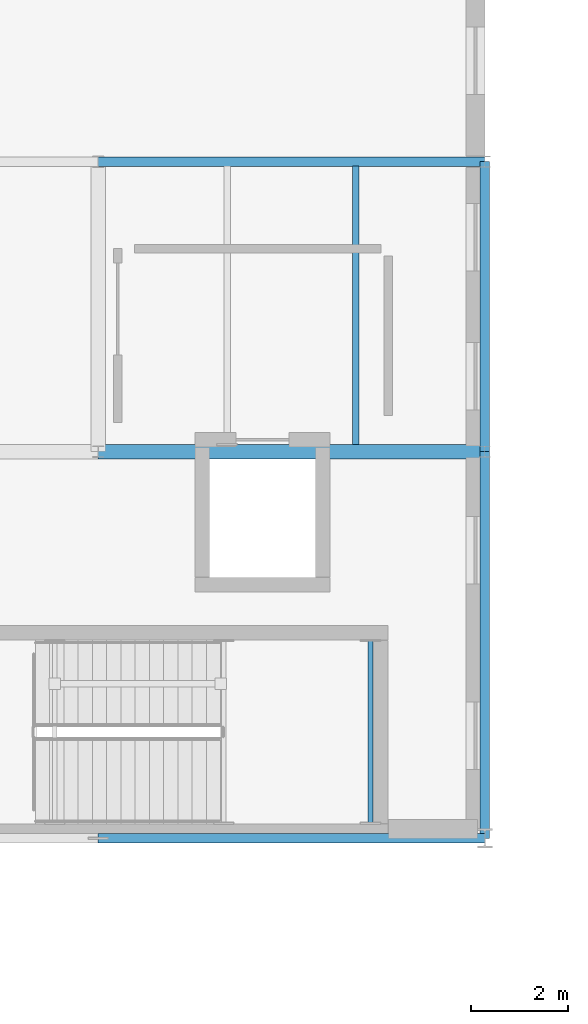
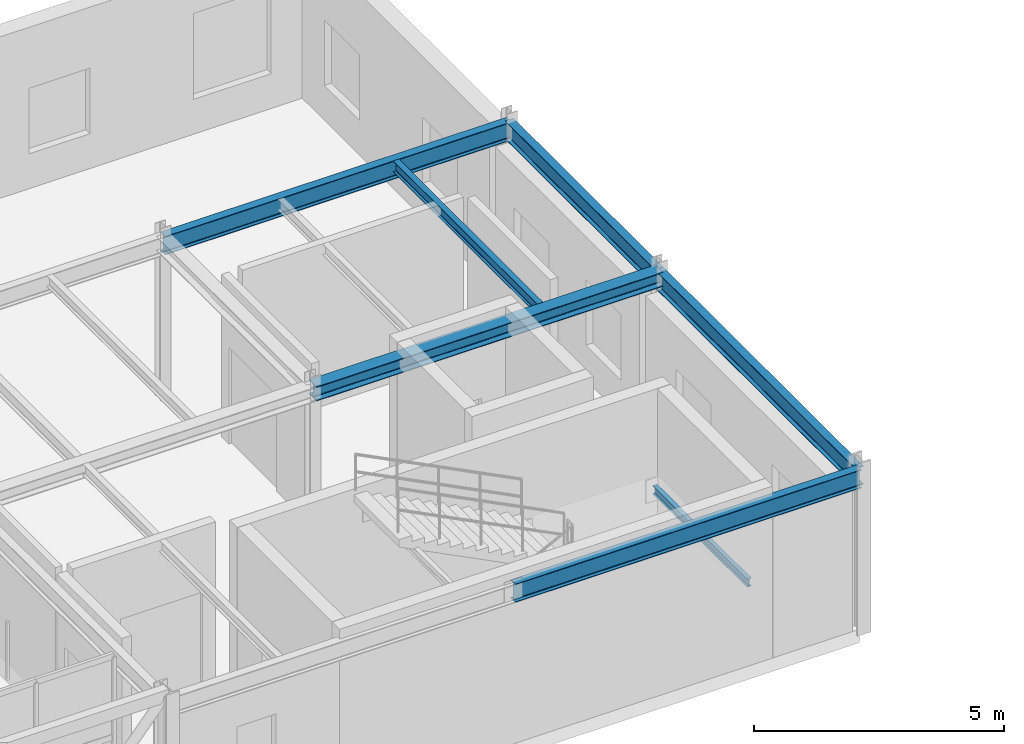
# One storey, part 33 of 124: 7 beams.
"""IFC4 building model written with IfcOpenShell, lengths in metres."""

from ifc_helpers import new_model, si_unit, direction, frame, origin, origin_2d, place, context, subcontext, project, spatial, i_section, extrude, material, material_profile, profile_set, type_object, element, save


model = new_model("IFC4")

# Units and contexts
model_context = context("Model", 3, precision=1e-05, world=origin(), true_north=direction((0.0, 1.0)))
body_context = subcontext(model_context, "Body", "Model", "MODEL_VIEW")
ifc_project = project(units=[si_unit("LENGTHUNIT", "METRE"), si_unit("AREAUNIT", "SQUARE_METRE"), si_unit("VOLUMEUNIT", "CUBIC_METRE"), si_unit("PLANEANGLEUNIT", "RADIAN"), si_unit("MASSUNIT", "GRAM", prefix="KILO")], contexts=[model_context])

# Site, building, storey
site_placement = place(None, origin())
site = spatial("IfcSite", under=ifc_project, at=site_placement, CompositionType="ELEMENT")
building_placement = place(site_placement, origin())
building = spatial("IfcBuilding", under=site, at=building_placement, Name="Sundkrona Museum", CompositionType="ELEMENT")
storey_placement = place(building_placement, frame((0.0, 0.0, 17.60009765625)))
storey = spatial("IfcBuildingStorey", under=building, at=storey_placement, Name="L03", CompositionType="ELEMENT", Elevation=17.60009765625)

# Beams
ifc_material = material(Name="Steel S355J2", Category="steel")
ifc_material_profile_1 = material_profile(ifc_material, i_section(OverallWidth=0.300048828125, OverallDepth=0.35009765625, WebThickness=0.010009765625, FlangeThickness=0.017578125, FilletRadius=0.027099609375, at=origin_2d()), Name="HEA 360")
ifc_profile_set_1 = profile_set([ifc_material_profile_1], Name="Steel S355J2")
beam_type_1 = type_object("IfcBeamType", Name="B-HEA360", PredefinedType="BEAM", material=ifc_profile_set_1)
beam_1_placement = place(storey_placement, frame((32.0, 40.0, 3.784912109375), z_axis=(1.0, 0.0, 0.0), x_axis=(0.0, 1.0, 0.0)))
element("IfcBeam", 1, at=beam_1_placement, inside=storey, type_object=beam_type_1, Name="L03 Girder X-1456", PredefinedType="BEAM", context=body_context, shape_type="SweptSolid", body=[
    extrude(i_section(OverallWidth=0.300048828125, OverallDepth=0.35009765625, WebThickness=0.010009765625, FlangeThickness=0.017578125, FilletRadius=0.027099609375, at=origin_2d()), origin(), (0.0, 0.0, 1.0), 8.0),
])
ifc_material_profile_2 = material_profile(ifc_material, i_section(OverallWidth=0.10009765625, OverallDepth=0.199951171875, WebThickness=0.005615234375, FlangeThickness=0.008544921875, FilletRadius=0.011962890625, at=origin_2d()), Name="IPE 200")
ifc_profile_set_2 = profile_set([ifc_material_profile_2], Name="Steel S355J2")
beam_type_2 = type_object("IfcBeamType", Name="J-IPE200", PredefinedType="JOIST", material=ifc_profile_set_2)
beam_2_placement = place(storey_placement, frame((37.63671875, 32.31005859375, 1.77978515625), z_axis=(0.0, 1.0, 0.0), x_axis=(-1.0, 0.0, 0.0)))
element("IfcBeam", 2, at=beam_2_placement, inside=storey, type_object=beam_type_2, Name="L03 ST-4 Mid-Landing Trimmer Beam 1B", PredefinedType="JOIST", context=body_context, shape_type="SweptSolid", body=[
    extrude(i_section(OverallWidth=0.10009765625, OverallDepth=0.199951171875, WebThickness=0.005615234375, FlangeThickness=0.008544921875, FilletRadius=0.011962890625, at=origin_2d()), origin(), (0.0, 0.0, 1.0), 3.780029296875),
])
ifc_material_profile_3 = material_profile(ifc_material, i_section(OverallWidth=0.135009765625, OverallDepth=0.27001953125, WebThickness=0.006591796875, FlangeThickness=0.01025390625, FilletRadius=0.014892578125, at=origin_2d()), Name="IPE 270")
ifc_profile_set_3 = profile_set([ifc_material_profile_3], Name="Steel S355J2")
beam_type_3 = type_object("IfcBeamType", Name="J-IPE270", PredefinedType="JOIST", material=ifc_profile_set_3)
beam_3_placement = place(storey_placement, frame((37.333251953125, 40.14404296875, 3.824951171875), z_axis=(0.0, 1.0, 0.0), x_axis=(-1.0, 0.0, 0.0)))
element("IfcBeam", 3, at=beam_3_placement, inside=storey, type_object=beam_type_3, Name="L03 Composite Joist 0993", PredefinedType="JOIST", context=body_context, shape_type="SweptSolid", body=[
    extrude(i_section(OverallWidth=0.135009765625, OverallDepth=0.27001953125, WebThickness=0.006591796875, FlangeThickness=0.01025390625, FilletRadius=0.014892578125, at=origin_2d()), origin(), (0.0, 0.0, 1.0), 5.766845703125),
])
ifc_material_profile_4 = material_profile(ifc_material, i_section(OverallWidth=0.18994140625, OverallDepth=0.449951171875, WebThickness=0.009521484375, FlangeThickness=0.0146484375, FilletRadius=0.02099609375, at=origin_2d()), Name="IPE 450")
ifc_profile_set_4 = profile_set([ifc_material_profile_4], Name="Steel S355J2")
beam_type_4 = type_object("IfcBeamType", Name="SP-IPE450", PredefinedType="SPANDREL", material=ifc_profile_set_4)
for number, where, z_axis, x_axis, name in (
    (4, (32.0, 32.0, 3.73486328125), (1.0, 0.0, 0.0), (0.0, 1.0, 0.0), "L03 Girder X-1443"),
    (5, (32.0, 46.0, 3.73486328125), (1.0, 0.0, 0.0), (0.0, 1.0, 0.0), "L03 Girder X-1467"),
    (6, (40.0, 32.0, 3.73486328125), (0.0, 1.0, 0.0), (-1.0, 0.0, 0.0), "L03 Girder Y-1574"),
):
    element("IfcBeam", number, at=place(storey_placement, frame(where, z_axis=z_axis, x_axis=x_axis)), inside=storey, type_object=beam_type_4, Name=name, PredefinedType="SPANDREL", context=body_context, shape_type="SweptSolid", body=[
        extrude(i_section(OverallWidth=0.18994140625, OverallDepth=0.449951171875, WebThickness=0.009521484375, FlangeThickness=0.0146484375, FilletRadius=0.02099609375, at=origin_2d()), origin(), (0.0, 0.0, 1.0), 8.0),
    ])
beam_4_placement = place(storey_placement, frame((40.0, 40.0, 3.73486328125), z_axis=(0.0, 1.0, 0.0), x_axis=(-1.0, 0.0, 0.0)))
element("IfcBeam", 7, at=beam_4_placement, inside=storey, type_object=beam_type_4, Name="L03 Girder Y-1575", PredefinedType="SPANDREL", context=body_context, shape_type="SweptSolid", body=[
    extrude(i_section(OverallWidth=0.18994140625, OverallDepth=0.449951171875, WebThickness=0.009521484375, FlangeThickness=0.0146484375, FilletRadius=0.02099609375, at=origin_2d()), origin(), (0.0, 0.0, 1.0), 6.0),
])

save(model, "model.ifc")
